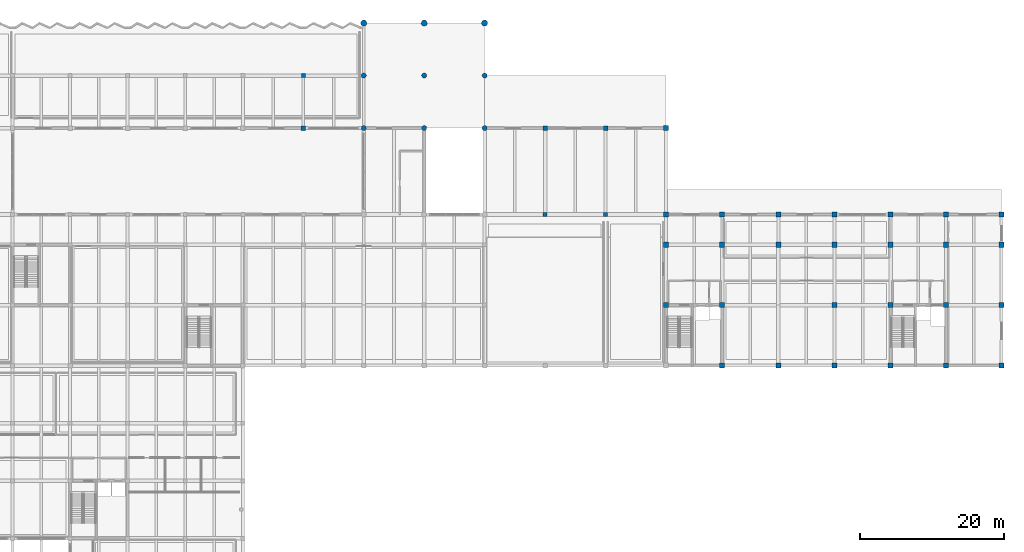
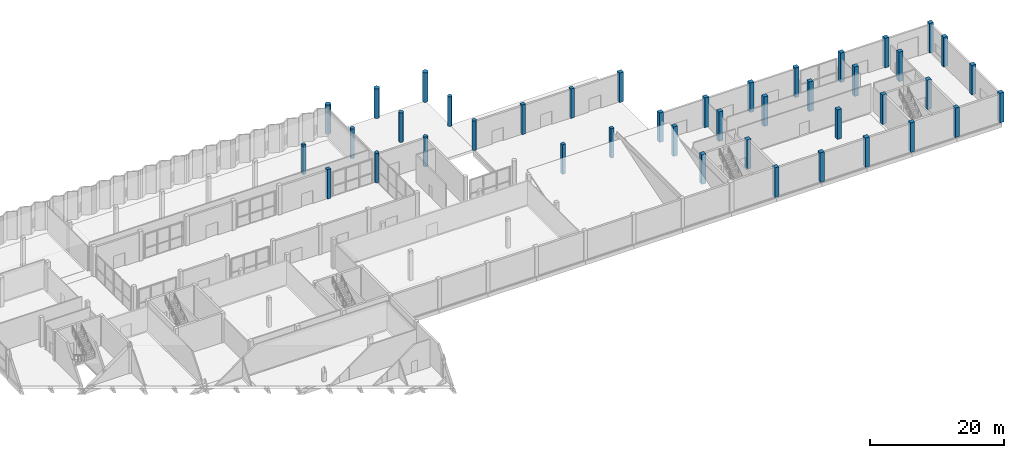
# One storey, part 2 of 41: 42 columns.
"""IFC4 building model written with IfcOpenShell, lengths in metres."""

from ifc_helpers import new_model, si_unit, direction, frame, origin, origin_2d, place, context, subcontext, project, spatial, rectangle, circle, extrude, material, material_profile, profile_set, type_object, element, save


model = new_model("IFC4")

# Units and contexts
model_context = context("Model", 3, precision=1e-05, world=origin(), true_north=direction((0.0, 1.0)))
body_context = subcontext(model_context, "Body", "Model", "MODEL_VIEW")
ifc_project = project(units=[si_unit("LENGTHUNIT", "METRE"), si_unit("AREAUNIT", "SQUARE_METRE"), si_unit("VOLUMEUNIT", "CUBIC_METRE"), si_unit("PLANEANGLEUNIT", "RADIAN"), si_unit("MASSUNIT", "GRAM", prefix="KILO")], contexts=[model_context])

# Site, building, storey
site_placement = place(None, origin())
site = spatial("IfcSite", under=ifc_project, at=site_placement, CompositionType="ELEMENT")
building_placement = place(site_placement, origin())
building = spatial("IfcBuilding", under=site, at=building_placement, Name="Vharandega Faculty of Natural Sciences", CompositionType="ELEMENT")
storey_placement = place(building_placement, origin())
storey = spatial("IfcBuildingStorey", under=building, at=storey_placement, Name="L00", CompositionType="ELEMENT", Elevation=0.0)

# Columns
ifc_material_1 = material(Name="Concrete C40/50", Category="concrete")
ifc_material_profile_1 = material_profile(ifc_material_1, circle(Radius=0.35009765625, at=origin_2d()), Name="RC-CIRC 700")
ifc_profile_set_1 = profile_set([ifc_material_profile_1], Name="Concrete C40/50")
column_type_1 = type_object("IfcColumnType", Name="RC Circular Column 700", PredefinedType="COLUMN", material=ifc_profile_set_1)
for number, where, z_axis, x_axis, name in (
    (1, (72.800048828125, 97.0, 0.0), (0.0, 0.0, 1.0), (1.0, 0.0, 0.0), "Column 10/N L00"),
    (2, (72.800048828125, 104.300048828125, 0.0), (0.0, 0.0, 1.0), (1.0, 0.0, 0.0), "Column 10/P L00"),
    (3, (81.199951171875, 97.0, 0.0), (0.0, 0.0, 1.0), (1.0, 0.0, 0.0), "Column 11/N L00"),
    (4, (81.199951171875, 104.300048828125, 0.0), (0.0, 0.0, 1.0), (1.0, 0.0, 0.0), "Column 11/P L00"),
    (5, (89.60009765625, 97.0, 0.0), (0.0, 0.0, 1.0), (1.0, 0.0, 0.0), "Column 12/N L00"),
    (6, (89.60009765625, 104.300048828125, 0.0), (0.0, 0.0, 1.0), (1.0, 0.0, 0.0), "Column 12/P L00"),
):
    element("IfcColumn", number, at=place(storey_placement, frame(where, z_axis=z_axis, x_axis=x_axis)), inside=storey, type_object=column_type_1, Name=name, PredefinedType="COLUMN", context=body_context, shape_type="SweptSolid", body=[
        extrude(circle(Radius=0.35009765625, at=origin_2d()), origin(), (0.0, 0.0, 1.0), 5.39990234375),
    ])
ifc_material_2 = material(Name="Concrete C40/50", Category="concrete")
ifc_material_profile_2 = material_profile(ifc_material_2, circle(Radius=0.425048828125, at=origin_2d()), Name="RC-CIRC 850")
ifc_profile_set_2 = profile_set([ifc_material_profile_2], Name="Concrete C40/50")
column_type_2 = type_object("IfcColumnType", Name="RC Circular Column 850", PredefinedType="COLUMN", material=ifc_profile_set_2)
for number, where, z_axis, x_axis, name in (
    (7, (72.800048828125, 111.60009765625, 0.0), (0.0, 0.0, 1.0), (1.0, 0.0, 0.0), "Column 10/Q L00"),
    (8, (81.199951171875, 111.60009765625, 0.0), (0.0, 0.0, 1.0), (1.0, 0.0, 0.0), "Column 11/Q L00"),
    (9, (89.60009765625, 111.60009765625, 0.0), (0.0, 0.0, 1.0), (1.0, 0.0, 0.0), "Column 12/Q L00"),
):
    element("IfcColumn", number, at=place(storey_placement, frame(where, z_axis=z_axis, x_axis=x_axis)), inside=storey, type_object=column_type_2, Name=name, PredefinedType="COLUMN", context=body_context, shape_type="SweptSolid", body=[
        extrude(circle(Radius=0.425048828125, at=origin_2d()), origin(), (0.0, 0.0, 1.0), 5.39990234375),
    ])
ifc_material_3 = material(Name="Concrete C40/50", Category="concrete")
ifc_material_profile_3 = material_profile(ifc_material_3, rectangle(XDim=0.550048828125, YDim=0.550048828125, at=origin_2d()), Name="RC 550x550")
ifc_profile_set_3 = profile_set([ifc_material_profile_3], Name="Concrete C40/50")
column_type_3 = type_object("IfcColumnType", Name="RC Column 550x550", PredefinedType="COLUMN", material=ifc_profile_set_3)
for number, where, z_axis, x_axis, name in (
    (10, (98.0, 85.0, 0.0), (0.0, 0.0, 1.0), (1.0, 0.0, 0.0), "Column 13/M L00"),
    (11, (106.39990234375, 85.0, 0.0), (0.0, 0.0, 1.0), (1.0, 0.0, 0.0), "Column 14/M L00"),
    (12, (64.39990234375, 104.300048828125, 0.0), (0.0, 0.0, 1.0), (1.0, 0.0, 0.0), "Column 9/P L00"),
):
    element("IfcColumn", number, at=place(storey_placement, frame(where, z_axis=z_axis, x_axis=x_axis)), inside=storey, type_object=column_type_3, Name=name, PredefinedType="COLUMN", context=body_context, shape_type="SweptSolid", body=[
        extrude(rectangle(XDim=0.550048828125, YDim=0.550048828125, at=origin_2d()), origin(), (0.0, 0.0, 1.0), 5.39990234375),
    ])
ifc_material_4 = material(Name="Concrete C40/50", Category="concrete")
ifc_material_profile_4 = material_profile(ifc_material_4, rectangle(XDim=0.60009765625, YDim=0.60009765625, at=origin_2d()), Name="RC 600x600")
ifc_profile_set_4 = profile_set([ifc_material_profile_4], Name="Concrete C40/50")
column_type_4 = type_object("IfcColumnType", Name="RC Column 600x600", PredefinedType="COLUMN", material=ifc_profile_set_4)
for number, where, z_axis, x_axis, name in (
    (13, (98.0, 97.0, 0.0), (0.0, 0.0, 1.0), (1.0, 0.0, 0.0), "Column 13/N L00"),
    (14, (106.39990234375, 97.0, 0.0), (0.0, 0.0, 1.0), (1.0, 0.0, 0.0), "Column 14/N L00"),
    (15, (64.39990234375, 97.0, 0.0), (0.0, 0.0, 1.0), (1.0, 0.0, 0.0), "Column 9/N L00"),
):
    element("IfcColumn", number, at=place(storey_placement, frame(where, z_axis=z_axis, x_axis=x_axis)), inside=storey, type_object=column_type_4, Name=name, PredefinedType="COLUMN", context=body_context, shape_type="SweptSolid", body=[
        extrude(rectangle(XDim=0.60009765625, YDim=0.60009765625, at=origin_2d()), origin(), (0.0, 0.0, 1.0), 5.39990234375),
    ])
ifc_material_5 = material(Name="Concrete C40/50", Category="concrete")
ifc_material_profile_5 = material_profile(ifc_material_5, rectangle(XDim=0.699951171875, YDim=0.699951171875, at=origin_2d()), Name="RC 700x700")
ifc_profile_set_5 = profile_set([ifc_material_profile_5], Name="Concrete C40/50")
column_type_5 = type_object("IfcColumnType", Name="RC Column 700x700", PredefinedType="COLUMN", material=ifc_profile_set_5)
for number, where, z_axis, x_axis, name in (
    (16, (114.800048828125, 72.39990234375, 0.0), (0.0, 0.0, 1.0), (1.0, 0.0, 0.0), "Column 15/K L00"),
    (17, (114.800048828125, 80.800048828125, 0.0), (0.0, 0.0, 1.0), (1.0, 0.0, 0.0), "Column 15/L L00"),
    (18, (114.800048828125, 85.0, 0.0), (0.0, 0.0, 1.0), (1.0, 0.0, 0.0), "Column 15/M L00"),
    (19, (114.800048828125, 97.0, 0.0), (0.0, 0.0, 1.0), (1.0, 0.0, 0.0), "Column 15/N L00"),
    (20, (122.60009765625, 64.0, 0.0), (0.0, 0.0, 1.0), (1.0, 0.0, 0.0), "Column 16/J L00"),
    (21, (122.60009765625, 72.39990234375, 0.0), (0.0, 0.0, 1.0), (1.0, 0.0, 0.0), "Column 16/K L00"),
    (22, (122.60009765625, 80.800048828125, 0.0), (0.0, 0.0, 1.0), (1.0, 0.0, 0.0), "Column 16/L L00"),
    (23, (122.60009765625, 85.0, 0.0), (0.0, 0.0, 1.0), (1.0, 0.0, 0.0), "Column 16/M L00"),
    (24, (130.39990234375, 64.0, 0.0), (0.0, 0.0, 1.0), (1.0, 0.0, 0.0), "Column 17/J L00"),
    (25, (130.39990234375, 80.800048828125, 0.0), (0.0, 0.0, 1.0), (1.0, 0.0, 0.0), "Column 17/L L00"),
    (26, (130.39990234375, 85.0, 0.0), (0.0, 0.0, 1.0), (1.0, 0.0, 0.0), "Column 17/M L00"),
    (27, (138.199951171875, 64.0, 0.0), (0.0, 0.0, 1.0), (1.0, 0.0, 0.0), "Column 18/J L00"),
    (28, (138.199951171875, 72.39990234375, 0.0), (0.0, 0.0, 1.0), (1.0, 0.0, 0.0), "Column 18/K L00"),
    (29, (138.199951171875, 80.800048828125, 0.0), (0.0, 0.0, 1.0), (1.0, 0.0, 0.0), "Column 18/L L00"),
    (30, (138.199951171875, 85.0, 0.0), (0.0, 0.0, 1.0), (1.0, 0.0, 0.0), "Column 18/M L00"),
    (31, (146.0, 64.0, 0.0), (0.0, 0.0, 1.0), (1.0, 0.0, 0.0), "Column 19/J L00"),
    (32, (146.0, 72.39990234375, 0.0), (0.0, 0.0, 1.0), (1.0, 0.0, 0.0), "Column 19/K L00"),
    (33, (146.0, 80.800048828125, 0.0), (0.0, 0.0, 1.0), (1.0, 0.0, 0.0), "Column 19/L L00"),
    (34, (146.0, 85.0, 0.0), (0.0, 0.0, 1.0), (1.0, 0.0, 0.0), "Column 19/M L00"),
    (35, (153.699951171875, 64.0, 0.0), (0.0, 0.0, 1.0), (1.0, 0.0, 0.0), "Column 20/J L00"),
    (36, (153.699951171875, 72.39990234375, 0.0), (0.0, 0.0, 1.0), (1.0, 0.0, 0.0), "Column 20/K L00"),
    (37, (153.699951171875, 80.800048828125, 0.0), (0.0, 0.0, 1.0), (1.0, 0.0, 0.0), "Column 20/L L00"),
    (38, (153.699951171875, 85.0, 0.0), (0.0, 0.0, 1.0), (1.0, 0.0, 0.0), "Column 20/M L00"),
    (39, (161.39990234375, 64.0, 0.0), (0.0, 0.0, 1.0), (1.0, 0.0, 0.0), "Column 21/J L00"),
    (40, (161.39990234375, 72.39990234375, 0.0), (0.0, 0.0, 1.0), (1.0, 0.0, 0.0), "Column 21/K L00"),
    (41, (161.39990234375, 80.800048828125, 0.0), (0.0, 0.0, 1.0), (1.0, 0.0, 0.0), "Column 21/L L00"),
    (42, (161.39990234375, 85.0, 0.0), (0.0, 0.0, 1.0), (1.0, 0.0, 0.0), "Column 21/M L00"),
):
    element("IfcColumn", number, at=place(storey_placement, frame(where, z_axis=z_axis, x_axis=x_axis)), inside=storey, type_object=column_type_5, Name=name, PredefinedType="COLUMN", context=body_context, shape_type="SweptSolid", body=[
        extrude(rectangle(XDim=0.699951171875, YDim=0.699951171875, at=origin_2d()), origin(), (0.0, 0.0, 1.0), 5.39990234375),
    ])

save(model, "model.ifc")
